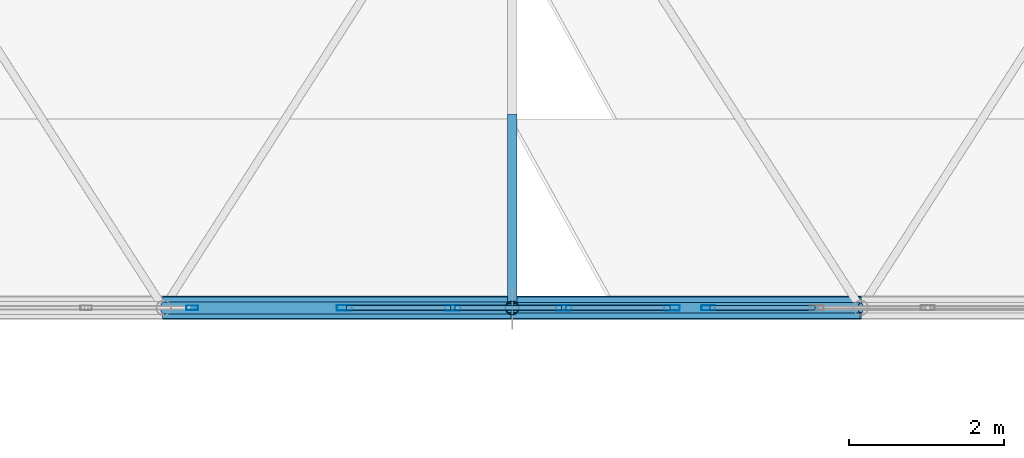
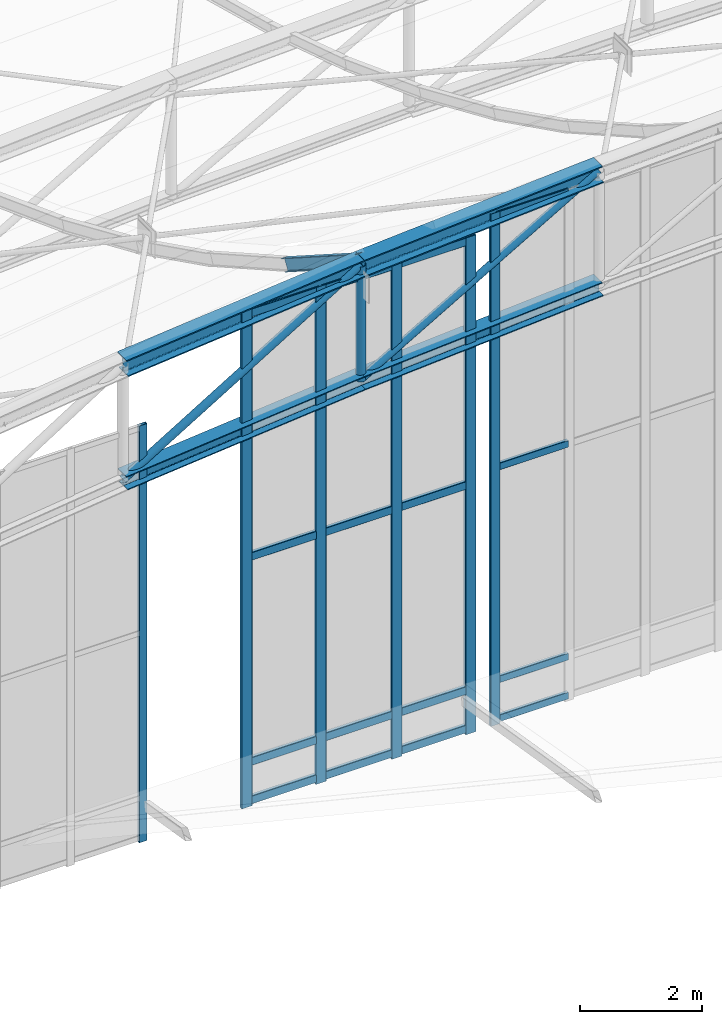
# One storey, part 139 of 262: 30 members, 3 elements without a shape of their own.
"""IFC4 building model written with IfcOpenShell, lengths in metres."""

from ifc_helpers import new_model, si_unit, derived_unit, direction, frame, origin, origin_2d, place, context, subcontext, project, spatial, hollow_rectangle, hollow_circle, i_section, extrude, material, layer, layer_set, material_profile, profile_set, type_object, element, aggregate, save


model = new_model("IFC4")

# Units and contexts
model_context = context("Model", 3, precision=1e-05, world=origin(), true_north=direction((0.0, 1.0)))
body_context = subcontext(model_context, "Body", "Model", "MODEL_VIEW")
ifc_project = project(units=[si_unit("LENGTHUNIT", "METRE"), si_unit("AREAUNIT", "SQUARE_METRE"), si_unit("VOLUMEUNIT", "CUBIC_METRE"), si_unit("PLANEANGLEUNIT", "RADIAN"), si_unit("MASSUNIT", "GRAM", prefix="KILO"), derived_unit("THERMALTRANSMITTANCEUNIT", [(si_unit("POWERUNIT", "WATT"), 1), (si_unit("LENGTHUNIT", "METRE"), -2), (si_unit("THERMODYNAMICTEMPERATUREUNIT", "KELVIN"), -1)])], contexts=[model_context])

# Site, building, storey
site_placement = place(None, origin())
site = spatial("IfcSite", under=ifc_project, at=site_placement, CompositionType="ELEMENT")
building_placement = place(site_placement, origin())
building = spatial("IfcBuilding", under=site, at=building_placement, Name="Almenara Railside Exhibition Hall", CompositionType="ELEMENT")
storey_placement = place(building_placement, frame((0.0, 0.0, 21.699951171875)))
storey = spatial("IfcBuildingStorey", under=building, at=storey_placement, Name="RF", CompositionType="ELEMENT", Elevation=21.699951171875)

# Members
ifc_material_1 = material(Name="Structural steel S355JR", Category="steel")
ifc_material_profile_1 = material_profile(ifc_material_1, i_section(OverallWidth=0.280029296875, OverallDepth=0.280029296875, WebThickness=0.010498046875, FlangeThickness=0.01806640625, FilletRadius=0.02392578125, at=origin_2d()), Name="HEB 280")
ifc_profile_set_1 = profile_set([ifc_material_profile_1], Name="Structural steel S355JR")
member_type_1 = type_object("IfcMemberType", Name="Arched Gable Bottom Chord HEB 280 S355JR", PredefinedType="CHORD", material=ifc_profile_set_1)
member_1_placement = place(storey_placement, frame((147.0, 34.0, 0.622314453125), z_axis=(0.995512933083, 0.0, 0.094625578275), x_axis=(0.0, 1.0, 0.0)))
element("IfcMember", 1, at=member_1_placement, inside=storey, type_object=member_type_1, Name="MEM-BC-V2-00-02", PredefinedType="CHORD", context=body_context, shape_type="SweptSolid", body=[
    extrude(i_section(OverallWidth=0.280029296875, OverallDepth=0.280029296875, WebThickness=0.010498046875, FlangeThickness=0.01806640625, FilletRadius=0.02392578125, at=origin_2d()), origin(), (0.0, 0.0, 1.0), 4.520263671875),
])
member_2_placement = place(storey_placement, frame((151.5, 34.0, 1.050048828125), z_axis=(0.997701025897, 0.0, 0.067769188608), x_axis=(0.0, 1.0, 0.0)))
element("IfcMember", 2, at=member_2_placement, inside=storey, type_object=member_type_1, Name="MEM-BC-V2-00-03", PredefinedType="CHORD", context=body_context, shape_type="SweptSolid", body=[
    extrude(i_section(OverallWidth=0.280029296875, OverallDepth=0.280029296875, WebThickness=0.010498046875, FlangeThickness=0.01806640625, FilletRadius=0.02392578125, at=origin_2d()), origin(), (0.0, 0.0, 1.0), 4.51025390625),
])
ifc_material_profile_2 = material_profile(ifc_material_1, i_section(OverallWidth=0.300048828125, OverallDepth=0.340087890625, WebThickness=0.011962890625, FlangeThickness=0.021484375, FilletRadius=0.027099609375, at=origin_2d()), Name="HEB 340")
ifc_profile_set_2 = profile_set([ifc_material_profile_2], Name="Structural steel S355JR")
member_type_2 = type_object("IfcMemberType", Name="Arched Gable Top Chord HEB 340 S355JR", PredefinedType="CHORD", material=ifc_profile_set_2)
member_3_placement = place(storey_placement, frame((147.0, 34.0, 2.92236328125), z_axis=(0.995512933083, 0.0, 0.094625578275), x_axis=(0.0, 1.0, 0.0)))
element("IfcMember", 3, at=member_3_placement, inside=storey, type_object=member_type_2, Name="MEM-TC-V2-00-02", PredefinedType="CHORD", context=body_context, shape_type="SweptSolid", body=[
    extrude(i_section(OverallWidth=0.300048828125, OverallDepth=0.340087890625, WebThickness=0.011962890625, FlangeThickness=0.021484375, FilletRadius=0.027099609375, at=origin_2d()), origin(), (0.0, 0.0, 1.0), 4.520263671875),
])
member_4_placement = place(storey_placement, frame((151.5, 34.0, 3.35009765625), z_axis=(0.997704684283, 0.0, 0.067715308162), x_axis=(0.0, 1.0, 0.0)))
element("IfcMember", 4, at=member_4_placement, inside=storey, type_object=member_type_2, Name="MEM-TC-V2-00-03", PredefinedType="CHORD", context=body_context, shape_type="SweptSolid", body=[
    extrude(i_section(OverallWidth=0.300048828125, OverallDepth=0.340087890625, WebThickness=0.011962890625, FlangeThickness=0.021484375, FilletRadius=0.027099609375, at=origin_2d()), origin(), (0.0, 0.0, 1.0), 4.51025390625),
])

# Curtain wall, member
ifc_material_2 = material(Name="Bronze-anodised aluminium and low-E double glazing", Category="aluminium")
ifc_layer_1 = layer(ifc_material_2, 0.179931640625, Name="Bronze-anodised aluminium and low-E double glazing")
ifc_layer_set_1 = layer_set([ifc_layer_1], Name="Bronze-anodised aluminium and low-E double glazing")
curtain_wall_type_1 = type_object("IfcCurtainWallType", Name="Scroll Gable Standard Curtain Wall 3600x5000", PredefinedType="NOTDEFINED", material=ifc_layer_set_1)
curtain_wall_1_placement = place(storey_placement, origin())
curtain_wall_1 = element("IfcCurtainWall", 5, at=curtain_wall_1_placement, inside=storey, type_object=curtain_wall_type_1, Name="Curtain wall CW-G2-214", PredefinedType="NOTDEFINED")
ifc_material_3 = material(Name="Bronze-anodised aluminium", Category="aluminium")
ifc_material_profile_3 = material_profile(ifc_material_3, hollow_rectangle(XDim=0.06005859375, YDim=0.14990234375, WallThickness=0.00341796875, InnerFilletRadius=0.00341796875, OuterFilletRadius=0.007080078125, at=origin_2d()), Name="ALU-MUL 60x150x3.5")
ifc_profile_set_3 = profile_set([ifc_material_profile_3], Name="Bronze-anodised aluminium")
member_type_3 = type_object("IfcMemberType", Name="Curtain Wall Mullion 60x150x3.5", PredefinedType="MULLION", material=ifc_profile_set_3)
member_5_placement = place(storey_placement, frame((147.3701171875, 34.0, -6.73486328125), z_axis=(0.0, 0.0, 1.0), x_axis=(0.0, 1.0, 0.0)))
member_5 = element("IfcMember", 6, at=member_5_placement, type_object=member_type_3, Name="CW-G2-214 mullion 7", PredefinedType="MULLION", context=body_context, shape_type="SweptSolid", body=[
    extrude(hollow_rectangle(XDim=0.06005859375, YDim=0.14990234375, WallThickness=0.00341796875, InnerFilletRadius=0.00341796875, OuterFilletRadius=0.007080078125, at=origin_2d()), origin(), (0.0, 0.0, 1.0), 8.3349609375),
])
aggregate(curtain_wall_1, [member_5])

ifc_layer_2 = layer(ifc_material_2, 0.179931640625, Name="Bronze-anodised aluminium and low-E double glazing")
ifc_layer_set_2 = layer_set([ifc_layer_2], Name="Bronze-anodised aluminium and low-E double glazing")
curtain_wall_type_2 = type_object("IfcCurtainWallType", Name="Scroll Gable Tall Curtain Wall 3800x5400", PredefinedType="NOTDEFINED", material=ifc_layer_set_2)
curtain_wall_2_placement = place(storey_placement, origin())
curtain_wall_2 = element("IfcCurtainWall", 7, at=curtain_wall_2_placement, inside=storey, type_object=curtain_wall_type_2, Name="Curtain wall CW-G1-217", PredefinedType="NOTDEFINED")
ifc_material_profile_4 = material_profile(ifc_material_3, hollow_rectangle(XDim=0.06494140625, YDim=0.179931640625, WallThickness=0.00390625, InnerFilletRadius=0.00390625, OuterFilletRadius=0.008056640625, at=origin_2d()), Name="ALU-MUL 65x180x4")
ifc_profile_set_4 = profile_set([ifc_material_profile_4], Name="Bronze-anodised aluminium")
member_type_4 = type_object("IfcMemberType", Name="Curtain Wall Mullion 65x180x4", PredefinedType="MULLION", material=ifc_profile_set_4)
member_6_placement = place(storey_placement, frame((154.032470703125, 34.0, -6.73486328125), z_axis=(0.0, 0.0, 1.0), x_axis=(0.0, 1.0, 0.0)))
member_6 = element("IfcMember", 8, at=member_6_placement, type_object=member_type_4, Name="CW-G1-217 mullion 1", PredefinedType="MULLION", context=body_context, shape_type="SweptSolid", body=[
    extrude(hollow_rectangle(XDim=0.06494140625, YDim=0.179931640625, WallThickness=0.00390625, InnerFilletRadius=0.00390625, OuterFilletRadius=0.008056640625, at=origin_2d()), origin(), (0.0, 0.0, 1.0), 10.244873046875),
])

# Curtain wall, members
curtain_wall_3_placement = place(storey_placement, origin())
curtain_wall_3 = element("IfcCurtainWall", 9, at=curtain_wall_3_placement, inside=storey, type_object=curtain_wall_type_2, Name="Curtain wall CW-G1-216", PredefinedType="NOTDEFINED")
ifc_material_profile_5 = material_profile(ifc_material_3, hollow_rectangle(XDim=0.070068359375, YDim=0.199951171875, WallThickness=0.00439453125, InnerFilletRadius=0.00439453125, OuterFilletRadius=0.009033203125, at=origin_2d()), Name="ALU-MUL 70x200x4.5")
ifc_profile_set_5 = profile_set([ifc_material_profile_5], Name="Bronze-anodised aluminium")
member_type_5 = type_object("IfcMemberType", Name="Curtain Wall Mullion 70x200x4.5", PredefinedType="MULLION", material=ifc_profile_set_5)
member_7_placement = place(storey_placement, frame((149.3349609375, 34.0, -6.73486328125), z_axis=(0.0, 0.0, 1.0), x_axis=(0.0, 1.0, 0.0)))
member_7 = element("IfcMember", 10, at=member_7_placement, type_object=member_type_5, Name="CW-G1-216 mullion 1", PredefinedType="MULLION", context=body_context, shape_type="SweptSolid", body=[
    extrude(hollow_rectangle(XDim=0.070068359375, YDim=0.199951171875, WallThickness=0.00439453125, InnerFilletRadius=0.00439453125, OuterFilletRadius=0.009033203125, at=origin_2d()), origin(), (0.0, 0.0, 1.0), 9.934814453125),
])
member_8_placement = place(storey_placement, frame((150.7333984375, 34.0, -6.73486328125), z_axis=(0.0, 0.0, 1.0), x_axis=(0.0, 1.0, 0.0)))
member_8 = element("IfcMember", 11, at=member_8_placement, type_object=member_type_5, Name="CW-G1-216 mullion 2", PredefinedType="MULLION", context=body_context, shape_type="SweptSolid", body=[
    extrude(hollow_rectangle(XDim=0.070068359375, YDim=0.199951171875, WallThickness=0.00439453125, InnerFilletRadius=0.00439453125, OuterFilletRadius=0.009033203125, at=origin_2d()), origin(), (0.0, 0.0, 1.0), 9.934814453125),
])
member_9_placement = place(storey_placement, frame((152.166748046875, 34.0, -6.73486328125), z_axis=(0.0, 0.0, 1.0), x_axis=(0.0, 1.0, 0.0)))
member_9 = element("IfcMember", 12, at=member_9_placement, type_object=member_type_5, Name="CW-G1-216 mullion 3", PredefinedType="MULLION", context=body_context, shape_type="SweptSolid", body=[
    extrude(hollow_rectangle(XDim=0.070068359375, YDim=0.199951171875, WallThickness=0.00439453125, InnerFilletRadius=0.00439453125, OuterFilletRadius=0.009033203125, at=origin_2d()), origin(), (0.0, 0.0, 1.0), 9.934814453125),
])
member_10_placement = place(storey_placement, frame((153.56494140625, 34.0, -6.73486328125), z_axis=(0.0, 0.0, 1.0), x_axis=(0.0, 1.0, 0.0)))
member_10 = element("IfcMember", 13, at=member_10_placement, type_object=member_type_5, Name="CW-G1-216 mullion 4", PredefinedType="MULLION", context=body_context, shape_type="SweptSolid", body=[
    extrude(hollow_rectangle(XDim=0.070068359375, YDim=0.199951171875, WallThickness=0.00439453125, InnerFilletRadius=0.00439453125, OuterFilletRadius=0.009033203125, at=origin_2d()), origin(), (0.0, 0.0, 1.0), 9.934814453125),
])

# Member
ifc_material_profile_6 = material_profile(ifc_material_3, hollow_rectangle(XDim=0.06494140625, YDim=0.139892578125, WallThickness=0.00341796875, InnerFilletRadius=0.00341796875, OuterFilletRadius=0.007080078125, at=origin_2d()), Name="ALU-TRN 65x140x3.5")
ifc_profile_set_6 = profile_set([ifc_material_profile_6], Name="Bronze-anodised aluminium")
member_type_6 = type_object("IfcMemberType", Name="Curtain Wall Transom 65x140x3.5", PredefinedType="USERDEFINED", material=ifc_profile_set_6)
member_11_placement = place(storey_placement, frame((154.056884765625, 34.0, -6.6298828125), z_axis=(1.0, 0.0, 0.0), x_axis=(0.0, 1.0, 0.0)))
member_11 = element("IfcMember", 14, at=member_11_placement, type_object=member_type_6, Name="CW-G1-217 transom 1.1", ObjectType="TRANSOM", PredefinedType="USERDEFINED", context=body_context, shape_type="SweptSolid", body=[
    extrude(hollow_rectangle(XDim=0.06494140625, YDim=0.139892578125, WallThickness=0.00341796875, InnerFilletRadius=0.00341796875, OuterFilletRadius=0.007080078125, at=origin_2d()), origin(), (0.0, 0.0, 1.0), 1.35205078125),
])

member_12_placement = place(storey_placement, frame((154.056884765625, 34.0, -5.849853515625), z_axis=(1.0, 0.0, 0.0), x_axis=(0.0, 1.0, 0.0)))
member_12 = element("IfcMember", 15, at=member_12_placement, type_object=member_type_6, Name="CW-G1-217 transom 1.2", ObjectType="TRANSOM", PredefinedType="USERDEFINED", context=body_context, shape_type="SweptSolid", body=[
    extrude(hollow_rectangle(XDim=0.06494140625, YDim=0.139892578125, WallThickness=0.00341796875, InnerFilletRadius=0.00341796875, OuterFilletRadius=0.007080078125, at=origin_2d()), origin(), (0.0, 0.0, 1.0), 1.35205078125),
])

member_13_placement = place(storey_placement, frame((154.056884765625, 34.0, -1.594970703125), z_axis=(1.0, 0.0, 0.0), x_axis=(0.0, 1.0, 0.0)))
member_13 = element("IfcMember", 16, at=member_13_placement, type_object=member_type_6, Name="CW-G1-217 transom 1.3", ObjectType="TRANSOM", PredefinedType="USERDEFINED", context=body_context, shape_type="SweptSolid", body=[
    extrude(hollow_rectangle(XDim=0.06494140625, YDim=0.139892578125, WallThickness=0.00341796875, InnerFilletRadius=0.00341796875, OuterFilletRadius=0.007080078125, at=origin_2d()), origin(), (0.0, 0.0, 1.0), 1.35205078125),
])

member_14_placement = place(storey_placement, frame((154.056884765625, 34.0, 3.43994140625), z_axis=(1.0, 0.0, 0.0), x_axis=(0.0, 1.0, 0.0)))
member_14 = element("IfcMember", 17, at=member_14_placement, type_object=member_type_6, Name="CW-G1-217 transom 1.4", ObjectType="TRANSOM", PredefinedType="USERDEFINED", context=body_context, shape_type="SweptSolid", body=[
    extrude(hollow_rectangle(XDim=0.06494140625, YDim=0.139892578125, WallThickness=0.00341796875, InnerFilletRadius=0.00341796875, OuterFilletRadius=0.007080078125, at=origin_2d()), origin(), (0.0, 0.0, 1.0), 1.35205078125),
])

aggregate(curtain_wall_2, [member_6, member_11, member_12, member_13, member_14])

ifc_material_profile_7 = material_profile(ifc_material_3, hollow_rectangle(XDim=0.070068359375, YDim=0.159912109375, WallThickness=0.00390625, InnerFilletRadius=0.00390625, OuterFilletRadius=0.008056640625, at=origin_2d()), Name="ALU-TRN 70x160x4")
ifc_profile_set_7 = profile_set([ifc_material_profile_7], Name="Bronze-anodised aluminium")
member_type_7 = type_object("IfcMemberType", Name="Curtain Wall Transom 70x160x4", PredefinedType="USERDEFINED", material=ifc_profile_set_7)
member_15_placement = place(storey_placement, frame((149.362060546875, 34.0, -6.619873046875), z_axis=(1.0, 0.0, 0.0), x_axis=(0.0, 1.0, 0.0)))
member_15 = element("IfcMember", 18, at=member_15_placement, type_object=member_type_7, Name="CW-G1-216 transom 1.1", ObjectType="TRANSOM", PredefinedType="USERDEFINED", context=body_context, shape_type="SweptSolid", body=[
    extrude(hollow_rectangle(XDim=0.070068359375, YDim=0.159912109375, WallThickness=0.00390625, InnerFilletRadius=0.00390625, OuterFilletRadius=0.008056640625, at=origin_2d()), origin(), (0.0, 0.0, 1.0), 1.34423828125),
])

member_16_placement = place(storey_placement, frame((149.362060546875, 34.0, -5.849853515625), z_axis=(1.0, 0.0, 0.0), x_axis=(0.0, 1.0, 0.0)))
member_16 = element("IfcMember", 19, at=member_16_placement, type_object=member_type_7, Name="CW-G1-216 transom 1.2", ObjectType="TRANSOM", PredefinedType="USERDEFINED", context=body_context, shape_type="SweptSolid", body=[
    extrude(hollow_rectangle(XDim=0.070068359375, YDim=0.159912109375, WallThickness=0.00390625, InnerFilletRadius=0.00390625, OuterFilletRadius=0.008056640625, at=origin_2d()), origin(), (0.0, 0.0, 1.0), 1.34423828125),
])

member_17_placement = place(storey_placement, frame((149.362060546875, 34.0, -1.75), z_axis=(1.0, 0.0, 0.0), x_axis=(0.0, 1.0, 0.0)))
member_17 = element("IfcMember", 20, at=member_17_placement, type_object=member_type_7, Name="CW-G1-216 transom 1.3", ObjectType="TRANSOM", PredefinedType="USERDEFINED", context=body_context, shape_type="SweptSolid", body=[
    extrude(hollow_rectangle(XDim=0.070068359375, YDim=0.159912109375, WallThickness=0.00390625, InnerFilletRadius=0.00390625, OuterFilletRadius=0.008056640625, at=origin_2d()), origin(), (0.0, 0.0, 1.0), 1.34423828125),
])

member_18_placement = place(storey_placement, frame((149.362060546875, 34.0, 3.1201171875), z_axis=(1.0, 0.0, 0.0), x_axis=(0.0, 1.0, 0.0)))
member_18 = element("IfcMember", 21, at=member_18_placement, type_object=member_type_7, Name="CW-G1-216 transom 1.4", ObjectType="TRANSOM", PredefinedType="USERDEFINED", context=body_context, shape_type="SweptSolid", body=[
    extrude(hollow_rectangle(XDim=0.070068359375, YDim=0.159912109375, WallThickness=0.00390625, InnerFilletRadius=0.00390625, OuterFilletRadius=0.008056640625, at=origin_2d()), origin(), (0.0, 0.0, 1.0), 1.34423828125),
])

member_19_placement = place(storey_placement, frame((150.76025390625, 34.0, -6.619873046875), z_axis=(1.0, 0.0, 0.0), x_axis=(0.0, 1.0, 0.0)))
member_19 = element("IfcMember", 22, at=member_19_placement, type_object=member_type_7, Name="CW-G1-216 transom 2.1", ObjectType="TRANSOM", PredefinedType="USERDEFINED", context=body_context, shape_type="SweptSolid", body=[
    extrude(hollow_rectangle(XDim=0.070068359375, YDim=0.159912109375, WallThickness=0.00390625, InnerFilletRadius=0.00390625, OuterFilletRadius=0.008056640625, at=origin_2d()), origin(), (0.0, 0.0, 1.0), 1.37939453125),
])

member_20_placement = place(storey_placement, frame((150.76025390625, 34.0, -5.849853515625), z_axis=(1.0, 0.0, 0.0), x_axis=(0.0, 1.0, 0.0)))
member_20 = element("IfcMember", 23, at=member_20_placement, type_object=member_type_7, Name="CW-G1-216 transom 2.2", ObjectType="TRANSOM", PredefinedType="USERDEFINED", context=body_context, shape_type="SweptSolid", body=[
    extrude(hollow_rectangle(XDim=0.070068359375, YDim=0.159912109375, WallThickness=0.00390625, InnerFilletRadius=0.00390625, OuterFilletRadius=0.008056640625, at=origin_2d()), origin(), (0.0, 0.0, 1.0), 1.37939453125),
])

member_21_placement = place(storey_placement, frame((150.76025390625, 34.0, -1.75), z_axis=(1.0, 0.0, 0.0), x_axis=(0.0, 1.0, 0.0)))
member_21 = element("IfcMember", 24, at=member_21_placement, type_object=member_type_7, Name="CW-G1-216 transom 2.3", ObjectType="TRANSOM", PredefinedType="USERDEFINED", context=body_context, shape_type="SweptSolid", body=[
    extrude(hollow_rectangle(XDim=0.070068359375, YDim=0.159912109375, WallThickness=0.00390625, InnerFilletRadius=0.00390625, OuterFilletRadius=0.008056640625, at=origin_2d()), origin(), (0.0, 0.0, 1.0), 1.37939453125),
])

member_22_placement = place(storey_placement, frame((150.76025390625, 34.0, 3.1201171875), z_axis=(1.0, 0.0, 0.0), x_axis=(0.0, 1.0, 0.0)))
member_22 = element("IfcMember", 25, at=member_22_placement, type_object=member_type_7, Name="CW-G1-216 transom 2.4", ObjectType="TRANSOM", PredefinedType="USERDEFINED", context=body_context, shape_type="SweptSolid", body=[
    extrude(hollow_rectangle(XDim=0.070068359375, YDim=0.159912109375, WallThickness=0.00390625, InnerFilletRadius=0.00390625, OuterFilletRadius=0.008056640625, at=origin_2d()), origin(), (0.0, 0.0, 1.0), 1.37939453125),
])

member_23_placement = place(storey_placement, frame((152.193603515625, 34.0, -6.619873046875), z_axis=(1.0, 0.0, 0.0), x_axis=(0.0, 1.0, 0.0)))
member_23 = element("IfcMember", 26, at=member_23_placement, type_object=member_type_7, Name="CW-G1-216 transom 3.1", ObjectType="TRANSOM", PredefinedType="USERDEFINED", context=body_context, shape_type="SweptSolid", body=[
    extrude(hollow_rectangle(XDim=0.070068359375, YDim=0.159912109375, WallThickness=0.00390625, InnerFilletRadius=0.00390625, OuterFilletRadius=0.008056640625, at=origin_2d()), origin(), (0.0, 0.0, 1.0), 1.344482421875),
])

member_24_placement = place(storey_placement, frame((152.193603515625, 34.0, -5.849853515625), z_axis=(1.0, 0.0, 0.0), x_axis=(0.0, 1.0, 0.0)))
member_24 = element("IfcMember", 27, at=member_24_placement, type_object=member_type_7, Name="CW-G1-216 transom 3.2", ObjectType="TRANSOM", PredefinedType="USERDEFINED", context=body_context, shape_type="SweptSolid", body=[
    extrude(hollow_rectangle(XDim=0.070068359375, YDim=0.159912109375, WallThickness=0.00390625, InnerFilletRadius=0.00390625, OuterFilletRadius=0.008056640625, at=origin_2d()), origin(), (0.0, 0.0, 1.0), 1.344482421875),
])

member_25_placement = place(storey_placement, frame((152.193603515625, 34.0, -1.75), z_axis=(1.0, 0.0, 0.0), x_axis=(0.0, 1.0, 0.0)))
member_25 = element("IfcMember", 28, at=member_25_placement, type_object=member_type_7, Name="CW-G1-216 transom 3.3", ObjectType="TRANSOM", PredefinedType="USERDEFINED", context=body_context, shape_type="SweptSolid", body=[
    extrude(hollow_rectangle(XDim=0.070068359375, YDim=0.159912109375, WallThickness=0.00390625, InnerFilletRadius=0.00390625, OuterFilletRadius=0.008056640625, at=origin_2d()), origin(), (0.0, 0.0, 1.0), 1.344482421875),
])

member_26_placement = place(storey_placement, frame((152.193603515625, 34.0, 3.1201171875), z_axis=(1.0, 0.0, 0.0), x_axis=(0.0, 1.0, 0.0)))
member_26 = element("IfcMember", 29, at=member_26_placement, type_object=member_type_7, Name="CW-G1-216 transom 3.4", ObjectType="TRANSOM", PredefinedType="USERDEFINED", context=body_context, shape_type="SweptSolid", body=[
    extrude(hollow_rectangle(XDim=0.070068359375, YDim=0.159912109375, WallThickness=0.00390625, InnerFilletRadius=0.00390625, OuterFilletRadius=0.008056640625, at=origin_2d()), origin(), (0.0, 0.0, 1.0), 1.344482421875),
])

aggregate(curtain_wall_3, [member_7, member_8, member_9, member_10, member_15, member_16, member_17, member_18, member_19, member_20, member_21, member_22, member_23, member_24, member_25, member_26])

# Members
ifc_material_profile_8 = material_profile(ifc_material_1, i_section(OverallWidth=0.1201171875, OverallDepth=0.239990234375, WebThickness=0.006103515625, FlangeThickness=0.009765625, FilletRadius=0.014892578125, at=origin_2d()), Name="IPE 240")
ifc_profile_set_8 = profile_set([ifc_material_profile_8], Name="Structural steel S355JR")
member_type_8 = type_object("IfcMemberType", Name="Scroll Roof Purlin IPE 240 S355JR", PredefinedType="PURLIN", material=ifc_profile_set_8)
member_27_placement = place(storey_placement, frame((151.5, 34.0, 3.4267578125), z_axis=(0.0, 0.842265270347, -0.53906327492), x_axis=(-1.0, 0.0, 0.0)))
element("IfcMember", 30, at=member_27_placement, inside=storey, type_object=member_type_8, Name="MEM-PR-V2-PR-IPE240-02-00", PredefinedType="PURLIN", context=body_context, shape_type="SweptSolid", body=[
    extrude(i_section(OverallWidth=0.1201171875, OverallDepth=0.239990234375, WebThickness=0.006103515625, FlangeThickness=0.009765625, FilletRadius=0.014892578125, at=origin_2d()), origin(), (0.0, 0.0, 1.0), 2.89306640625),
])
ifc_material_profile_9 = material_profile(ifc_material_1, hollow_circle(Radius=0.06982421875, WallThickness=0.0048828125, at=origin_2d()), Name="CHS 139.7x5")
ifc_profile_set_9 = profile_set([ifc_material_profile_9], Name="Structural steel S355JR")
member_type_9 = type_object("IfcMemberType", Name="Truss Inner Diagonal CHS 139.7x5 S355JR", PredefinedType="BRACE", material=ifc_profile_set_9)
member_28_placement = place(storey_placement, frame((151.5, 34.0, 1.050048828125), z_axis=(0.865409140876, 0.0, 0.501065882782), x_axis=(0.0, 1.0, 0.0)))
element("IfcMember", 31, at=member_28_placement, inside=storey, type_object=member_type_9, Name="MEM-TD-V2-00-03", PredefinedType="BRACE", context=body_context, shape_type="SweptSolid", body=[
    extrude(hollow_circle(Radius=0.06982421875, WallThickness=0.0048828125, at=origin_2d()), origin(), (0.0, 0.0, 1.0), 5.199951171875),
])
ifc_material_profile_10 = material_profile(ifc_material_1, hollow_circle(Radius=0.076171875, WallThickness=0.0048828125, at=origin_2d()), Name="CHS 152.4x5")
ifc_profile_set_10 = profile_set([ifc_material_profile_10], Name="Structural steel S355JR")
member_type_10 = type_object("IfcMemberType", Name="Truss Mid Diagonal CHS 152.4x5 S355JR", PredefinedType="BRACE", material=ifc_profile_set_10)
member_29_placement = place(storey_placement, frame((147.0, 34.0, 0.622314453125), z_axis=(0.855154829777, 0.0, 0.518372662386), x_axis=(0.0, 1.0, 0.0)))
element("IfcMember", 32, at=member_29_placement, inside=storey, type_object=member_type_10, Name="MEM-TD-V2-00-02", PredefinedType="BRACE", context=body_context, shape_type="SweptSolid", body=[
    extrude(hollow_circle(Radius=0.076171875, WallThickness=0.0048828125, at=origin_2d()), origin(), (0.0, 0.0, 1.0), 5.26220703125),
])
ifc_material_profile_11 = material_profile(ifc_material_1, hollow_circle(Radius=0.0888671875, WallThickness=0.006103515625, at=origin_2d()), Name="CHS 177.8x6")
ifc_profile_set_11 = profile_set([ifc_material_profile_11], Name="Structural steel S355JR")
member_type_11 = type_object("IfcMemberType", Name="Truss Quarter Vertical Strut CHS 177.8x6 S355JR", PredefinedType="BRACE", material=ifc_profile_set_11)
member_30_placement = place(storey_placement, frame((151.5, 34.0, 1.050048828125), z_axis=(0.0, 0.0, 1.0), x_axis=(1.0, 0.0, 0.0)))
element("IfcMember", 33, at=member_30_placement, inside=storey, type_object=member_type_11, Name="MEM-TV-V2-00-03", PredefinedType="BRACE", context=body_context, shape_type="SweptSolid", body=[
    extrude(hollow_circle(Radius=0.0888671875, WallThickness=0.006103515625, at=origin_2d()), origin(), (0.0, 0.0, 1.0), 2.300048828125),
])

save(model, "model.ifc")
